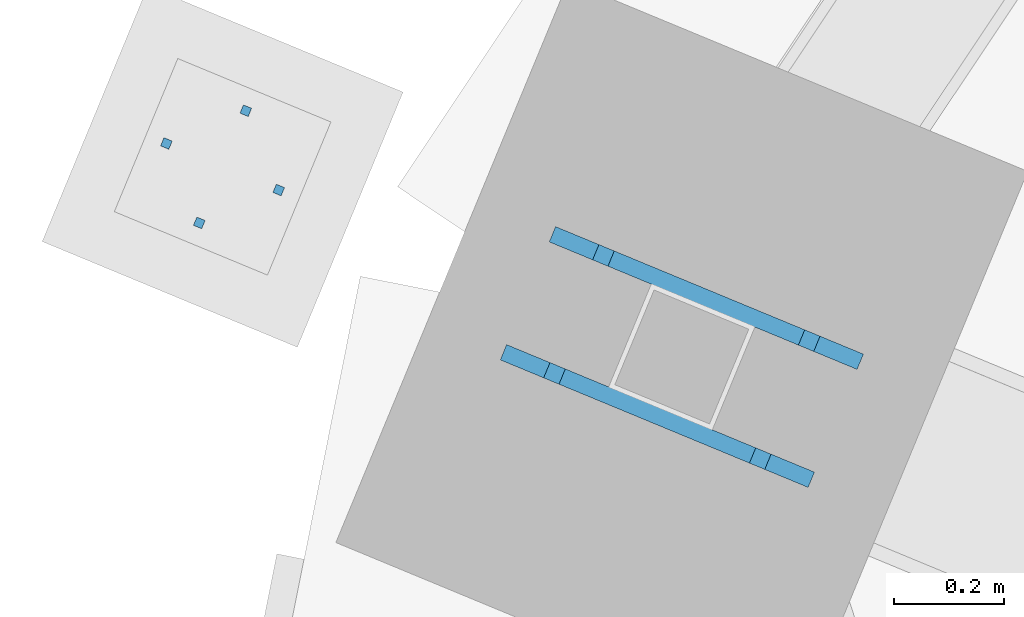
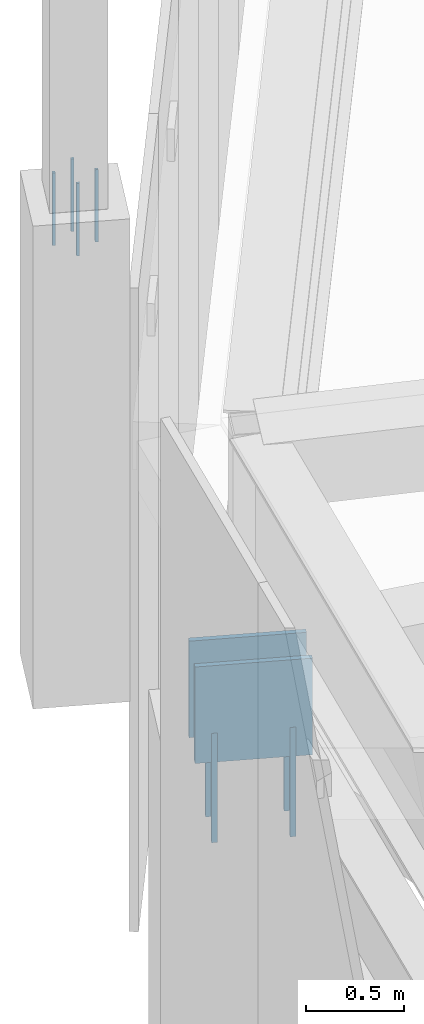
# One storey, part 216 of 278: 8 mechanical fasteners, 2 discrete accessories.
"""IFC4 building model written with IfcOpenShell, lengths in metres."""

from ifc_helpers import new_model, si_unit, direction, frame, origin, origin_2d, place, context, subcontext, project, spatial, rectangle, extrude, material, layer, layer_set, type_object, element, save


model = new_model("IFC4")

# Units and contexts
model_context = context("Model", 3, precision=1e-05, world=origin(), true_north=direction((0.0, 1.0)))
body_context = subcontext(model_context, "Body", "Model", "MODEL_VIEW")
ifc_project = project(units=[si_unit("LENGTHUNIT", "METRE"), si_unit("AREAUNIT", "SQUARE_METRE"), si_unit("VOLUMEUNIT", "CUBIC_METRE"), si_unit("PLANEANGLEUNIT", "RADIAN"), si_unit("MASSUNIT", "GRAM", prefix="KILO")], contexts=[model_context])

# Site, building, storey
site_placement = place(None, origin())
site = spatial("IfcSite", under=ifc_project, at=site_placement, CompositionType="ELEMENT")
building_placement = place(site_placement, origin())
building = spatial("IfcBuilding", under=site, at=building_placement, Name="Ogive Plaza Stadium", CompositionType="ELEMENT")
storey_placement = place(building_placement, frame((0.0, 0.0, 29.0)))
storey = spatial("IfcBuildingStorey", under=building, at=storey_placement, Name="Roof", CompositionType="ELEMENT", Elevation=29.0)

# Mechanical fasteners
ifc_material_1 = material(Name="Steel ASTM A992 Grade 50", Category="steel")
mechanical_fastener_type_1 = type_object("IfcMechanicalFastenerType", Name="Anchor bolt M30 x 600", PredefinedType="ANCHORBOLT", material=ifc_material_1)
for number, where, z_axis, x_axis, name in (
    (1, (-80.424560546875, 71.6044921875, 3.0), (0.0, 0.0, 1.0), (-0.923879532511, 0.382683432365, 0.0), "ANCHOR BOLT 29 BF 1.1"),
    (2, (-80.052001953125, 71.4501953125, 3.0), (0.0, 0.0, 1.0), (-0.923879532511, 0.382683432365, 0.0), "ANCHOR BOLT 29 BF 1.2"),
    (3, (-80.3359375, 71.818115234375, 3.0), (0.0, 0.0, 1.0), (-0.923879532511, 0.382683432365, 0.0), "ANCHOR BOLT 29 BF 2.1"),
    (4, (-79.96337890625, 71.663818359375, 3.0), (0.0, 0.0, 1.0), (-0.923879532511, 0.382683432365, 0.0), "ANCHOR BOLT 29 BF 2.2"),
):
    element("IfcMechanicalFastener", number, at=place(storey_placement, frame(where, z_axis=z_axis, x_axis=x_axis)), inside=storey, type_object=mechanical_fastener_type_1, Name=name, PredefinedType="ANCHORBOLT", context=body_context, shape_type="SweptSolid", body=[
        extrude(rectangle(XDim=0.030029296875, YDim=0.030029296875, at=origin_2d()), origin(), (0.0, 0.0, 1.0), 0.679931640625),
    ])
ifc_material_2 = material(Name="Steel ASTM A992 Grade 50", Category="steel")
mechanical_fastener_type_2 = type_object("IfcMechanicalFastenerType", Name="Spire anchor bolt M16 x 450", PredefinedType="ANCHORBOLT", material=ifc_material_2)
for number, where, z_axis, x_axis, name in (
    (5, (-81.127197265625, 72.020751953125, 6.7001953125), (0.0, 0.0, 1.0), (-0.923879532511, 0.382683432365, 0.0), "SPIRE ANCHOR BOLT 29 1"),
    (6, (-80.923828125, 71.9365234375, 6.7001953125), (0.0, 0.0, 1.0), (-0.923879532511, 0.382683432365, 0.0), "SPIRE ANCHOR BOLT 29 2"),
    (7, (-81.067626953125, 71.876953125, 6.7001953125), (0.0, 0.0, 1.0), (-0.923879532511, 0.382683432365, 0.0), "SPIRE ANCHOR BOLT 29 3"),
    (8, (-80.9833984375, 72.080078125, 6.7001953125), (0.0, 0.0, 1.0), (-0.923879532511, 0.382683432365, 0.0), "SPIRE ANCHOR BOLT 29 4"),
):
    element("IfcMechanicalFastener", number, at=place(storey_placement, frame(where, z_axis=z_axis, x_axis=x_axis)), inside=storey, type_object=mechanical_fastener_type_2, Name=name, PredefinedType="ANCHORBOLT", context=body_context, shape_type="SweptSolid", body=[
        extrude(rectangle(XDim=0.01611328125, YDim=0.01611328125, at=origin_2d()), origin(), (0.0, 0.0, 1.0), 0.449951171875),
    ])

# Discrete accessories
ifc_material_3 = material(Name="Steel ASTM A992 Grade 50", Category="steel")
ifc_layer = layer(ifc_material_3, 0.030029296875)
ifc_layer_set = layer_set([ifc_layer], Name="Steel ASTM A992 Grade 50")
discrete_accessory_type = type_object("IfcDiscreteAccessoryType", Name="Truss back-stay foot cleat plate 30", PredefinedType="ANCHORPLATE", material=ifc_layer_set)
for number, where, z_axis, x_axis, name in (
    (9, (-80.23828125, 71.52734375, 3.5), (0.0, 0.0, 1.0), (-0.923879532511, 0.382683432365, 0.0), "TRUSS BACK-STAY FOOT CLEAT PLATE 29 1"),
    (10, (-80.149658203125, 71.740966796875, 3.5), (0.0, 0.0, 1.0), (-0.923879532511, 0.382683432365, 0.0), "TRUSS BACK-STAY FOOT CLEAT PLATE 29 2"),
):
    element("IfcDiscreteAccessory", number, at=place(storey_placement, frame(where, z_axis=z_axis, x_axis=x_axis)), inside=storey, type_object=discrete_accessory_type, Name=name, PredefinedType="ANCHORPLATE", context=body_context, shape_type="SweptSolid", body=[
        extrude(rectangle(XDim=0.603271484375, YDim=0.030029296875, at=origin_2d()), origin(), (0.0, 0.0, 1.0), 0.60009765625),
    ])

save(model, "model.ifc")
